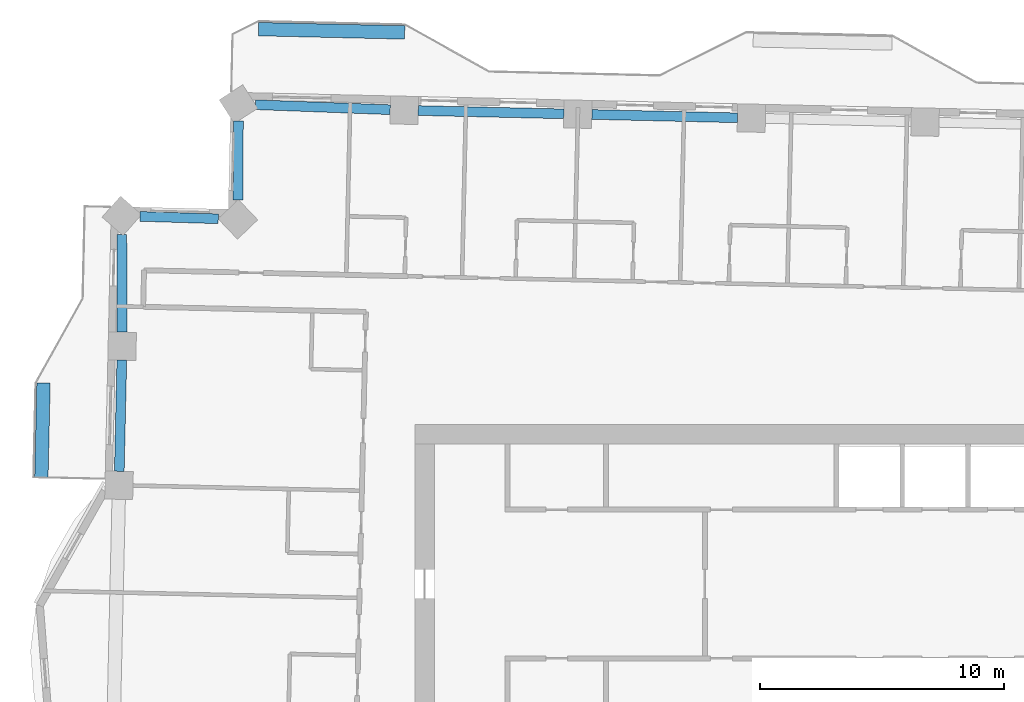
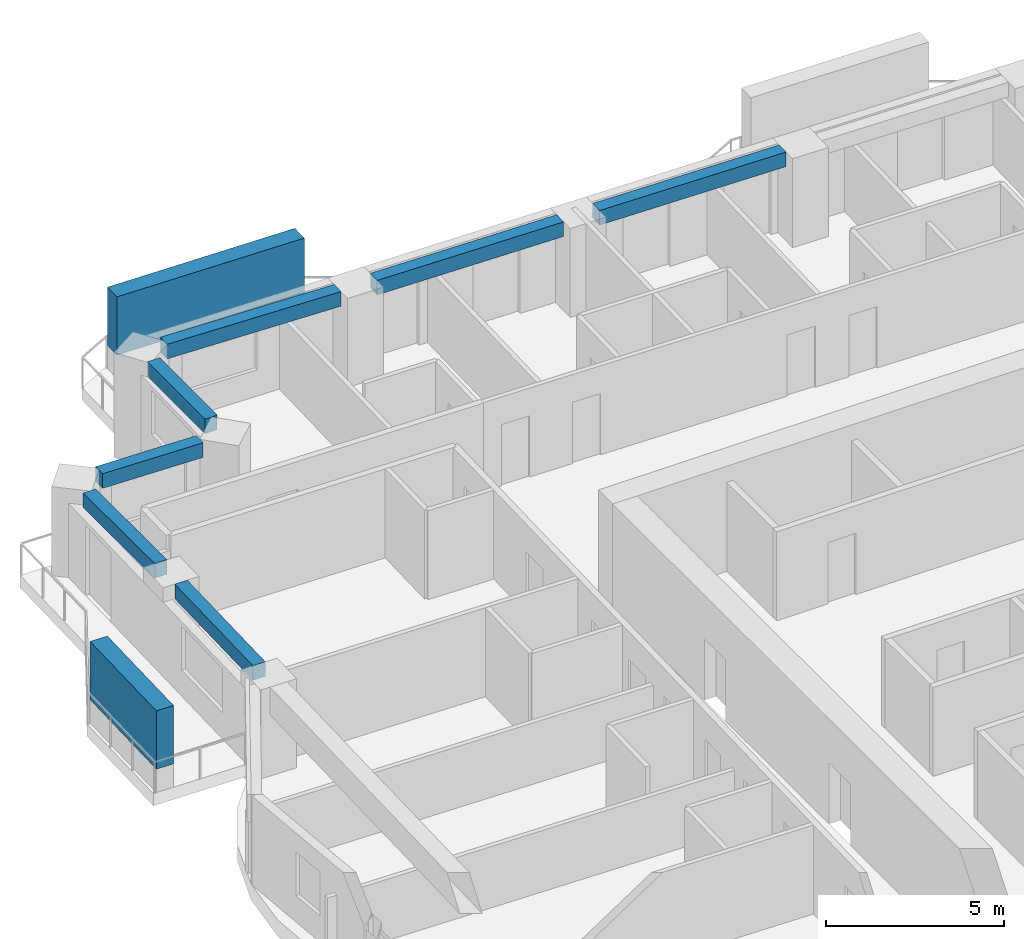
# One storey, part 3 of 16: 7 beams, 2 members.
"""IFC4 building model written with IfcOpenShell, lengths in metres."""

from ifc_helpers import new_model, si_unit, direction, frame, origin, origin_2d, place, context, subcontext, project, spatial, rectangle, extrude, material, material_profile, profile_set, type_object, element, save


model = new_model("IFC4")

# Units and contexts
model_context = context("Model", 3, precision=1e-05, world=origin(), true_north=direction((0.0, 1.0)))
body_context = subcontext(model_context, "Body", "Model", "MODEL_VIEW")
ifc_project = project(units=[si_unit("LENGTHUNIT", "METRE"), si_unit("AREAUNIT", "SQUARE_METRE"), si_unit("VOLUMEUNIT", "CUBIC_METRE"), si_unit("PLANEANGLEUNIT", "RADIAN"), si_unit("MASSUNIT", "GRAM", prefix="KILO")], contexts=[model_context])

# Site, building, storey
site_placement = place(None, origin())
site = spatial("IfcSite", under=ifc_project, at=site_placement, CompositionType="ELEMENT")
building_placement = place(site_placement, origin())
building = spatial("IfcBuilding", under=site, at=building_placement, Name="Mangrove Gate Tower", CompositionType="ELEMENT")
storey_placement = place(building_placement, frame((0.0, 0.0, 197.89990234375)))
storey = spatial("IfcBuildingStorey", under=building, at=storey_placement, Name="L50", CompositionType="ELEMENT", Elevation=197.89990234375)

# Members
ifc_material_1 = material(Name="Planting on aluminium trellis", Category="aluminium")
ifc_material_profile_1 = material_profile(ifc_material_1, rectangle(XDim=0.550048828125, YDim=2.0, at=origin_2d()))
ifc_profile_set_1 = profile_set([ifc_material_profile_1], Name="Planting on aluminium trellis")
member_type = type_object("IfcMemberType", Name="Balcony greenery screen 550x2000", PredefinedType="USERDEFINED", material=ifc_profile_set_1)
member_1_placement = place(storey_placement, frame((-21.010986328125, 27.81201171875, 1.800048828125), z_axis=(0.999743094499, -0.022665943652, 0.0), x_axis=(0.022665943652, 0.999743094499, 0.0)))
element("IfcMember", 1, at=member_1_placement, inside=storey, type_object=member_type, Name="GREEN SCREEN L50 N1.1", ObjectType="PLANTING", PredefinedType="USERDEFINED", context=body_context, shape_type="SweptSolid", body=[
    extrude(rectangle(XDim=0.550048828125, YDim=2.0, at=origin_2d()), origin(), (0.0, 0.0, 1.0), 5.99951171875),
])
member_2_placement = place(storey_placement, frame((-29.91796875, 9.419921875, 1.800048828125), z_axis=(0.022681332769, 0.999742745482, 0.0), x_axis=(-0.999742745482, 0.022681332769, 0.0)))
element("IfcMember", 2, at=member_2_placement, inside=storey, type_object=member_type, Name="GREEN SCREEN L50 W0.1", ObjectType="PLANTING", PredefinedType="USERDEFINED", context=body_context, shape_type="SweptSolid", body=[
    extrude(rectangle(XDim=0.550048828125, YDim=2.0, at=origin_2d()), origin(), (0.0, 0.0, 1.0), 3.875),
])

# Beams
ifc_material_2 = material(Name="Concrete C50/60", Category="concrete")
ifc_material_profile_2 = material_profile(ifc_material_2, rectangle(XDim=0.39990234375, YDim=0.5, at=origin_2d()))
ifc_profile_set_2 = profile_set([ifc_material_profile_2], Name="Concrete C50/60")
beam_type = type_object("IfcBeamType", Name="Edge beam RC 400x500 C50/60", PredefinedType="BEAM", material=ifc_profile_set_2)
for number, where, z_axis, x_axis, name in (
    (3, (-1.36376953125, 24.17529296875, 2.800048828125), (-0.999741814446, 0.022722333681, 0.0), (-0.022722333681, -0.999741814446, 0.0), "Edge beam L50 22"),
    (4, (-8.48583984375, 24.337158203125, 2.800048828125), (-0.99974459204, 0.02259979395, 0.0), (-0.02259979395, -0.99974459204, 0.0), "Edge beam L50 23"),
):
    element("IfcBeam", number, at=place(storey_placement, frame(where, z_axis=z_axis, x_axis=x_axis)), inside=storey, type_object=beam_type, Name=name, PredefinedType="BEAM", context=body_context, shape_type="SweptSolid", body=[
        extrude(rectangle(XDim=0.39990234375, YDim=0.5, at=origin_2d()), origin(), (0.0, 0.0, 1.0), 5.973876953125),
    ])
beam_1_placement = place(storey_placement, frame((-15.607666015625, 24.506591796875, 2.800048828125), z_axis=(-0.999309985278, 0.037142338694, 0.0), x_axis=(-0.037142338694, -0.999309985278, 0.0)))
element("IfcBeam", 5, at=beam_1_placement, inside=storey, type_object=beam_type, Name="Edge beam L50 24", PredefinedType="BEAM", context=body_context, shape_type="SweptSolid", body=[
    extrude(rectangle(XDim=0.39990234375, YDim=0.5, at=origin_2d()), origin(), (0.0, 0.0, 1.0), 5.528076171875),
])
beam_2_placement = place(storey_placement, frame((-21.834716796875, 24.052734375, 2.800048828125), z_axis=(-0.004737501355, -0.999988777977, 0.0), x_axis=(0.999988777977, -0.004737501355, 0.0)))
element("IfcBeam", 6, at=beam_2_placement, inside=storey, type_object=beam_type, Name="Edge beam L50 25", PredefinedType="BEAM", context=body_context, shape_type="SweptSolid", body=[
    extrude(rectangle(XDim=0.39990234375, YDim=0.5, at=origin_2d()), origin(), (0.0, 0.0, 1.0), 3.24658203125),
])
beam_3_placement = place(storey_placement, frame((-22.660400390625, 20.03173828125, 2.800048828125), z_axis=(-0.999538107107, 0.030390334664, 0.0), x_axis=(-0.030390334664, -0.999538107107, 0.0)))
element("IfcBeam", 7, at=beam_3_placement, inside=storey, type_object=beam_type, Name="Edge beam L50 26", PredefinedType="BEAM", context=body_context, shape_type="SweptSolid", body=[
    extrude(rectangle(XDim=0.39990234375, YDim=0.5, at=origin_2d()), origin(), (0.0, 0.0, 1.0), 3.21337890625),
])
beam_4_placement = place(storey_placement, frame((-26.616455078125, 19.384521484375, 2.800048828125), z_axis=(0.002501517494, -0.9999968712, 0.0), x_axis=(0.9999968712, 0.002501517494, 0.0)))
element("IfcBeam", 8, at=beam_4_placement, inside=storey, type_object=beam_type, Name="Edge beam L50 27", PredefinedType="BEAM", context=body_context, shape_type="SweptSolid", body=[
    extrude(rectangle(XDim=0.39990234375, YDim=0.5, at=origin_2d()), origin(), (0.0, 0.0, 1.0), 4.00146484375),
])
beam_5_placement = place(storey_placement, frame((-26.6181640625, 14.233154296875, 2.800048828125), z_axis=(-0.022586452437, -0.999744893543, 0.0), x_axis=(0.999744893543, -0.022586452437, 0.0)))
element("IfcBeam", 9, at=beam_5_placement, inside=storey, type_object=beam_type, Name="Edge beam L50 28", PredefinedType="BEAM", context=body_context, shape_type="SweptSolid", body=[
    extrude(rectangle(XDim=0.39990234375, YDim=0.5, at=origin_2d()), origin(), (0.0, 0.0, 1.0), 4.5615234375),
])

save(model, "model.ifc")
